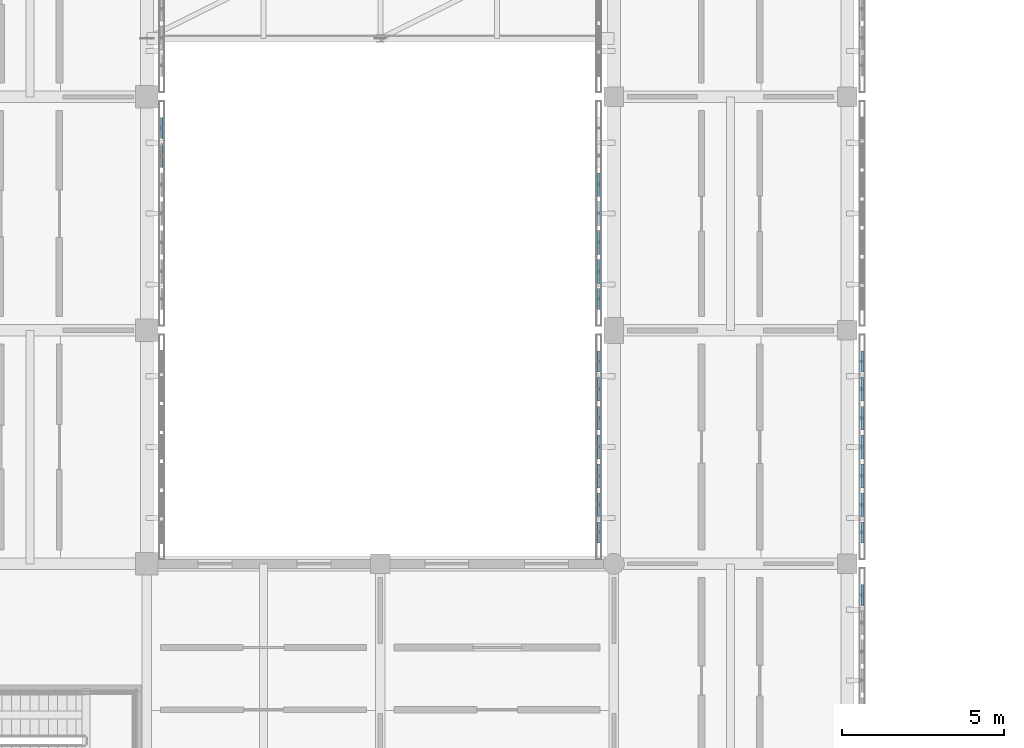
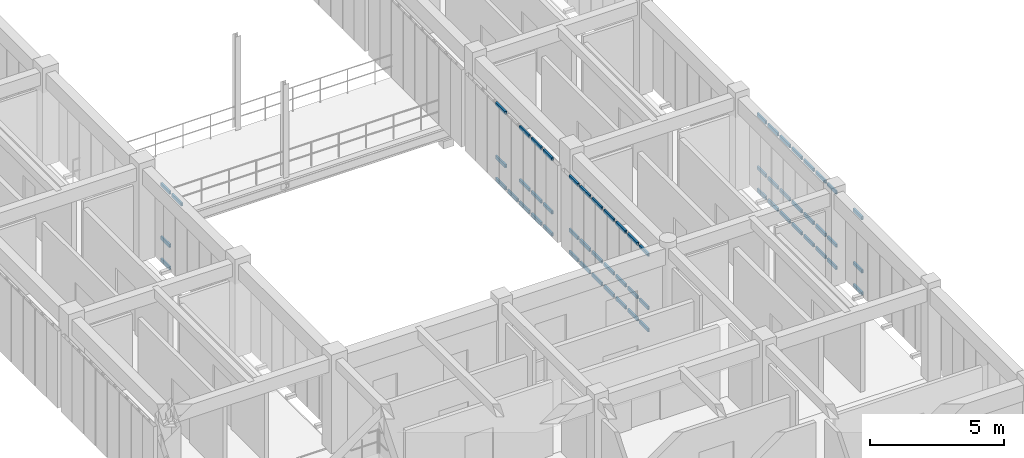
# One storey, part 78 of 171: 62 members, 5 elements without a shape of their own.
"""IFC4 building model written with IfcOpenShell, lengths in metres."""

from ifc_helpers import new_model, si_unit, direction, frame, origin, origin_2d, place, context, subcontext, project, spatial, hollow_rectangle, extrude, material, material_profile, profile_set, type_object, element, aggregate, save


model = new_model("IFC4")

# Units and contexts
model_context = context("Model", 3, precision=1e-05, world=origin(), true_north=direction((0.0, 1.0)))
body_context = subcontext(model_context, "Body", "Model", "MODEL_VIEW")
ifc_project = project(units=[si_unit("LENGTHUNIT", "METRE"), si_unit("AREAUNIT", "SQUARE_METRE"), si_unit("VOLUMEUNIT", "CUBIC_METRE"), si_unit("PLANEANGLEUNIT", "RADIAN"), si_unit("MASSUNIT", "GRAM", prefix="KILO")], contexts=[model_context])

# Site, building, storey
site_placement = place(None, origin())
site = spatial("IfcSite", under=ifc_project, at=site_placement, CompositionType="ELEMENT")
building_placement = place(site_placement, origin())
building = spatial("IfcBuilding", under=site, at=building_placement, Name="Aldebral Square Health Centre", CompositionType="ELEMENT")
storey_placement = place(building_placement, frame((0.0, 0.0, 4.5)))
storey = spatial("IfcBuildingStorey", under=building, at=storey_placement, Name="L01", CompositionType="ELEMENT", Elevation=4.5)

# Curtain wall, members
ifc_material_1 = material(Name="Aluminium and low-E solar glass", Category="aluminium")
curtain_wall_type = type_object("IfcCurtainWallType", Name="CW-FIN-SYS", PredefinedType="USERDEFINED", material=ifc_material_1)
curtain_wall_1_placement = place(storey_placement, origin())
curtain_wall_1 = element("IfcCurtainWall", 1, at=curtain_wall_1_placement, inside=storey, type_object=curtain_wall_type, Name="L01 V4 finned curtain wall L01-V4-00-10-E", ObjectType="SOLAR_CURTAIN_WALL", PredefinedType="USERDEFINED")
ifc_material_2 = material(Name="Anodised aluminium transom", Category="aluminium")
ifc_material_profile = material_profile(ifc_material_2, hollow_rectangle(XDim=0.074951171875, YDim=0.14990234375, WallThickness=0.00390625, at=origin_2d()), Name="CWT 75x150x4")
ifc_profile_set = profile_set([ifc_material_profile], Name="Anodised aluminium transom")
member_type = type_object("IfcMemberType", Name="CWT-STD", PredefinedType="USERDEFINED", material=ifc_profile_set)
member_1_placement = place(storey_placement, frame((7.659912109375, 77.01708984375, 3.482421875), z_axis=(0.0, 1.0, 0.0), x_axis=(-1.0, 0.0, 0.0)))
member_1 = element("IfcMember", 2, at=member_1_placement, type_object=member_type, Name="CW1 transom 6.3", ObjectType="TRANSOM", PredefinedType="USERDEFINED", context=body_context, shape_type="SweptSolid", body=[
    extrude(hollow_rectangle(XDim=0.074951171875, YDim=0.14990234375, WallThickness=0.00390625, at=origin_2d()), origin(), (0.0, 0.0, 1.0), 0.7314453125),
])
member_2_placement = place(storey_placement, frame((7.659912109375, 77.90869140625, 0.03759765625), z_axis=(0.0, 1.0, 0.0), x_axis=(-1.0, 0.0, 0.0)))
member_2 = element("IfcMember", 3, at=member_2_placement, type_object=member_type, Name="CW1 transom 7.1", ObjectType="TRANSOM", PredefinedType="USERDEFINED", context=body_context, shape_type="SweptSolid", body=[
    extrude(hollow_rectangle(XDim=0.074951171875, YDim=0.14990234375, WallThickness=0.00390625, at=origin_2d()), origin(), (0.0, 0.0, 1.0), 0.6513671875),
])
member_3_placement = place(storey_placement, frame((7.659912109375, 77.90869140625, 1.050048828125), z_axis=(0.0, 1.0, 0.0), x_axis=(-1.0, 0.0, 0.0)))
member_3 = element("IfcMember", 4, at=member_3_placement, type_object=member_type, Name="CW1 transom 7.2", ObjectType="TRANSOM", PredefinedType="USERDEFINED", context=body_context, shape_type="SweptSolid", body=[
    extrude(hollow_rectangle(XDim=0.074951171875, YDim=0.14990234375, WallThickness=0.00390625, at=origin_2d()), origin(), (0.0, 0.0, 1.0), 0.6513671875),
])
member_4_placement = place(storey_placement, frame((7.659912109375, 77.90869140625, 3.482421875), z_axis=(0.0, 1.0, 0.0), x_axis=(-1.0, 0.0, 0.0)))
member_4 = element("IfcMember", 5, at=member_4_placement, type_object=member_type, Name="CW1 transom 7.3", ObjectType="TRANSOM", PredefinedType="USERDEFINED", context=body_context, shape_type="SweptSolid", body=[
    extrude(hollow_rectangle(XDim=0.074951171875, YDim=0.14990234375, WallThickness=0.00390625, at=origin_2d()), origin(), (0.0, 0.0, 1.0), 0.6513671875),
])
aggregate(curtain_wall_1, [member_1, member_2, member_3, member_4])

curtain_wall_2_placement = place(storey_placement, origin())
curtain_wall_2 = element("IfcCurtainWall", 6, at=curtain_wall_2_placement, inside=storey, type_object=curtain_wall_type, Name="L01 V4 finned curtain wall L01-V4-03-08-E", ObjectType="SOLAR_CURTAIN_WALL", PredefinedType="USERDEFINED")
member_5_placement = place(storey_placement, frame((29.260009765625, 63.508544921875, 0.03759765625), z_axis=(0.0, 1.0, 0.0), x_axis=(-1.0, 0.0, 0.0)))
member_5 = element("IfcMember", 7, at=member_5_placement, type_object=member_type, Name="CW1 transom 7.1", ObjectType="TRANSOM", PredefinedType="USERDEFINED", context=body_context, shape_type="SweptSolid", body=[
    extrude(hollow_rectangle(XDim=0.074951171875, YDim=0.14990234375, WallThickness=0.00390625, at=origin_2d()), origin(), (0.0, 0.0, 1.0), 0.6513671875),
])
member_6_placement = place(storey_placement, frame((29.260009765625, 63.508544921875, 1.050048828125), z_axis=(0.0, 1.0, 0.0), x_axis=(-1.0, 0.0, 0.0)))
member_6 = element("IfcMember", 8, at=member_6_placement, type_object=member_type, Name="CW1 transom 7.2", ObjectType="TRANSOM", PredefinedType="USERDEFINED", context=body_context, shape_type="SweptSolid", body=[
    extrude(hollow_rectangle(XDim=0.074951171875, YDim=0.14990234375, WallThickness=0.00390625, at=origin_2d()), origin(), (0.0, 0.0, 1.0), 0.6513671875),
])
member_7_placement = place(storey_placement, frame((29.260009765625, 63.508544921875, 3.482421875), z_axis=(0.0, 1.0, 0.0), x_axis=(-1.0, 0.0, 0.0)))
member_7 = element("IfcMember", 9, at=member_7_placement, type_object=member_type, Name="CW1 transom 7.3", ObjectType="TRANSOM", PredefinedType="USERDEFINED", context=body_context, shape_type="SweptSolid", body=[
    extrude(hollow_rectangle(XDim=0.074951171875, YDim=0.14990234375, WallThickness=0.00390625, at=origin_2d()), origin(), (0.0, 0.0, 1.0), 0.6513671875),
])
aggregate(curtain_wall_2, [member_5, member_6, member_7])

curtain_wall_3_placement = place(storey_placement, origin())
curtain_wall_3 = element("IfcCurtainWall", 10, at=curtain_wall_3_placement, inside=storey, type_object=curtain_wall_type, Name="L01 V4 finned curtain wall L01-V4-03-09-W", ObjectType="SOLAR_CURTAIN_WALL", PredefinedType="USERDEFINED")
member_8_placement = place(storey_placement, frame((21.139892578125, 71.360107421875, 0.03759765625), z_axis=(0.0, -1.0, 0.0), x_axis=(1.0, 0.0, 0.0)))
member_8 = element("IfcMember", 11, at=member_8_placement, type_object=member_type, Name="CW1 transom 1.1", ObjectType="TRANSOM", PredefinedType="USERDEFINED", context=body_context, shape_type="SweptSolid", body=[
    extrude(hollow_rectangle(XDim=0.074951171875, YDim=0.14990234375, WallThickness=0.00390625, at=origin_2d()), origin(), (0.0, 0.0, 1.0), 0.651611328125),
])
member_9_placement = place(storey_placement, frame((21.139892578125, 71.360107421875, 1.050048828125), z_axis=(0.0, -1.0, 0.0), x_axis=(1.0, 0.0, 0.0)))
member_9 = element("IfcMember", 12, at=member_9_placement, type_object=member_type, Name="CW1 transom 1.2", ObjectType="TRANSOM", PredefinedType="USERDEFINED", context=body_context, shape_type="SweptSolid", body=[
    extrude(hollow_rectangle(XDim=0.074951171875, YDim=0.14990234375, WallThickness=0.00390625, at=origin_2d()), origin(), (0.0, 0.0, 1.0), 0.651611328125),
])
member_10_placement = place(storey_placement, frame((21.139892578125, 71.360107421875, 3.482421875), z_axis=(0.0, -1.0, 0.0), x_axis=(1.0, 0.0, 0.0)))
member_10 = element("IfcMember", 13, at=member_10_placement, type_object=member_type, Name="CW1 transom 1.3", ObjectType="TRANSOM", PredefinedType="USERDEFINED", context=body_context, shape_type="SweptSolid", body=[
    extrude(hollow_rectangle(XDim=0.074951171875, YDim=0.14990234375, WallThickness=0.00390625, at=origin_2d()), origin(), (0.0, 0.0, 1.0), 0.651611328125),
])
member_11_placement = place(storey_placement, frame((21.139892578125, 70.548583984375, 0.03759765625), z_axis=(0.0, -1.0, 0.0), x_axis=(1.0, 0.0, 0.0)))
member_11 = element("IfcMember", 14, at=member_11_placement, type_object=member_type, Name="CW1 transom 2.1", ObjectType="TRANSOM", PredefinedType="USERDEFINED", context=body_context, shape_type="SweptSolid", body=[
    extrude(hollow_rectangle(XDim=0.074951171875, YDim=0.14990234375, WallThickness=0.00390625, at=origin_2d()), origin(), (0.0, 0.0, 1.0), 0.7314453125),
])
member_12_placement = place(storey_placement, frame((21.139892578125, 70.548583984375, 1.050048828125), z_axis=(0.0, -1.0, 0.0), x_axis=(1.0, 0.0, 0.0)))
member_12 = element("IfcMember", 15, at=member_12_placement, type_object=member_type, Name="CW1 transom 2.2", ObjectType="TRANSOM", PredefinedType="USERDEFINED", context=body_context, shape_type="SweptSolid", body=[
    extrude(hollow_rectangle(XDim=0.074951171875, YDim=0.14990234375, WallThickness=0.00390625, at=origin_2d()), origin(), (0.0, 0.0, 1.0), 0.7314453125),
])
member_13_placement = place(storey_placement, frame((21.139892578125, 70.548583984375, 3.482421875), z_axis=(0.0, -1.0, 0.0), x_axis=(1.0, 0.0, 0.0)))
member_13 = element("IfcMember", 16, at=member_13_placement, type_object=member_type, Name="CW1 transom 2.3", ObjectType="TRANSOM", PredefinedType="USERDEFINED", context=body_context, shape_type="SweptSolid", body=[
    extrude(hollow_rectangle(XDim=0.074951171875, YDim=0.14990234375, WallThickness=0.00390625, at=origin_2d()), origin(), (0.0, 0.0, 1.0), 0.7314453125),
])
member_14_placement = place(storey_placement, frame((21.139892578125, 69.6572265625, 0.03759765625), z_axis=(0.0, -1.0, 0.0), x_axis=(1.0, 0.0, 0.0)))
member_14 = element("IfcMember", 17, at=member_14_placement, type_object=member_type, Name="CW1 transom 3.1", ObjectType="TRANSOM", PredefinedType="USERDEFINED", context=body_context, shape_type="SweptSolid", body=[
    extrude(hollow_rectangle(XDim=0.074951171875, YDim=0.14990234375, WallThickness=0.00390625, at=origin_2d()), origin(), (0.0, 0.0, 1.0), 0.7314453125),
])
member_15_placement = place(storey_placement, frame((21.139892578125, 69.6572265625, 1.050048828125), z_axis=(0.0, -1.0, 0.0), x_axis=(1.0, 0.0, 0.0)))
member_15 = element("IfcMember", 18, at=member_15_placement, type_object=member_type, Name="CW1 transom 3.2", ObjectType="TRANSOM", PredefinedType="USERDEFINED", context=body_context, shape_type="SweptSolid", body=[
    extrude(hollow_rectangle(XDim=0.074951171875, YDim=0.14990234375, WallThickness=0.00390625, at=origin_2d()), origin(), (0.0, 0.0, 1.0), 0.7314453125),
])
member_16_placement = place(storey_placement, frame((21.139892578125, 69.6572265625, 3.482421875), z_axis=(0.0, -1.0, 0.0), x_axis=(1.0, 0.0, 0.0)))
member_16 = element("IfcMember", 19, at=member_16_placement, type_object=member_type, Name="CW1 transom 3.3", ObjectType="TRANSOM", PredefinedType="USERDEFINED", context=body_context, shape_type="SweptSolid", body=[
    extrude(hollow_rectangle(XDim=0.074951171875, YDim=0.14990234375, WallThickness=0.00390625, at=origin_2d()), origin(), (0.0, 0.0, 1.0), 0.7314453125),
])
member_17_placement = place(storey_placement, frame((21.139892578125, 68.765625, 0.03759765625), z_axis=(0.0, -1.0, 0.0), x_axis=(1.0, 0.0, 0.0)))
member_17 = element("IfcMember", 20, at=member_17_placement, type_object=member_type, Name="CW1 transom 4.1", ObjectType="TRANSOM", PredefinedType="USERDEFINED", context=body_context, shape_type="SweptSolid", body=[
    extrude(hollow_rectangle(XDim=0.074951171875, YDim=0.14990234375, WallThickness=0.00390625, at=origin_2d()), origin(), (0.0, 0.0, 1.0), 0.7314453125),
])
member_18_placement = place(storey_placement, frame((21.139892578125, 68.765625, 1.050048828125), z_axis=(0.0, -1.0, 0.0), x_axis=(1.0, 0.0, 0.0)))
member_18 = element("IfcMember", 21, at=member_18_placement, type_object=member_type, Name="CW1 transom 4.2", ObjectType="TRANSOM", PredefinedType="USERDEFINED", context=body_context, shape_type="SweptSolid", body=[
    extrude(hollow_rectangle(XDim=0.074951171875, YDim=0.14990234375, WallThickness=0.00390625, at=origin_2d()), origin(), (0.0, 0.0, 1.0), 0.7314453125),
])
member_19_placement = place(storey_placement, frame((21.139892578125, 68.765625, 3.482421875), z_axis=(0.0, -1.0, 0.0), x_axis=(1.0, 0.0, 0.0)))
member_19 = element("IfcMember", 22, at=member_19_placement, type_object=member_type, Name="CW1 transom 4.3", ObjectType="TRANSOM", PredefinedType="USERDEFINED", context=body_context, shape_type="SweptSolid", body=[
    extrude(hollow_rectangle(XDim=0.074951171875, YDim=0.14990234375, WallThickness=0.00390625, at=origin_2d()), origin(), (0.0, 0.0, 1.0), 0.7314453125),
])
member_20_placement = place(storey_placement, frame((21.139892578125, 67.874267578125, 0.03759765625), z_axis=(0.0, -1.0, 0.0), x_axis=(1.0, 0.0, 0.0)))
member_20 = element("IfcMember", 23, at=member_20_placement, type_object=member_type, Name="CW1 transom 5.1", ObjectType="TRANSOM", PredefinedType="USERDEFINED", context=body_context, shape_type="SweptSolid", body=[
    extrude(hollow_rectangle(XDim=0.074951171875, YDim=0.14990234375, WallThickness=0.00390625, at=origin_2d()), origin(), (0.0, 0.0, 1.0), 0.7314453125),
])
member_21_placement = place(storey_placement, frame((21.139892578125, 67.874267578125, 1.050048828125), z_axis=(0.0, -1.0, 0.0), x_axis=(1.0, 0.0, 0.0)))
member_21 = element("IfcMember", 24, at=member_21_placement, type_object=member_type, Name="CW1 transom 5.2", ObjectType="TRANSOM", PredefinedType="USERDEFINED", context=body_context, shape_type="SweptSolid", body=[
    extrude(hollow_rectangle(XDim=0.074951171875, YDim=0.14990234375, WallThickness=0.00390625, at=origin_2d()), origin(), (0.0, 0.0, 1.0), 0.7314453125),
])
member_22_placement = place(storey_placement, frame((21.139892578125, 67.874267578125, 3.482421875), z_axis=(0.0, -1.0, 0.0), x_axis=(1.0, 0.0, 0.0)))
member_22 = element("IfcMember", 25, at=member_22_placement, type_object=member_type, Name="CW1 transom 5.3", ObjectType="TRANSOM", PredefinedType="USERDEFINED", context=body_context, shape_type="SweptSolid", body=[
    extrude(hollow_rectangle(XDim=0.074951171875, YDim=0.14990234375, WallThickness=0.00390625, at=origin_2d()), origin(), (0.0, 0.0, 1.0), 0.7314453125),
])
member_23_placement = place(storey_placement, frame((21.139892578125, 66.98291015625, 0.03759765625), z_axis=(0.0, -1.0, 0.0), x_axis=(1.0, 0.0, 0.0)))
member_23 = element("IfcMember", 26, at=member_23_placement, type_object=member_type, Name="CW1 transom 6.1", ObjectType="TRANSOM", PredefinedType="USERDEFINED", context=body_context, shape_type="SweptSolid", body=[
    extrude(hollow_rectangle(XDim=0.074951171875, YDim=0.14990234375, WallThickness=0.00390625, at=origin_2d()), origin(), (0.0, 0.0, 1.0), 0.7314453125),
])
member_24_placement = place(storey_placement, frame((21.139892578125, 66.98291015625, 1.050048828125), z_axis=(0.0, -1.0, 0.0), x_axis=(1.0, 0.0, 0.0)))
member_24 = element("IfcMember", 27, at=member_24_placement, type_object=member_type, Name="CW1 transom 6.2", ObjectType="TRANSOM", PredefinedType="USERDEFINED", context=body_context, shape_type="SweptSolid", body=[
    extrude(hollow_rectangle(XDim=0.074951171875, YDim=0.14990234375, WallThickness=0.00390625, at=origin_2d()), origin(), (0.0, 0.0, 1.0), 0.7314453125),
])
member_25_placement = place(storey_placement, frame((21.139892578125, 66.98291015625, 3.482421875), z_axis=(0.0, -1.0, 0.0), x_axis=(1.0, 0.0, 0.0)))
member_25 = element("IfcMember", 28, at=member_25_placement, type_object=member_type, Name="CW1 transom 6.3", ObjectType="TRANSOM", PredefinedType="USERDEFINED", context=body_context, shape_type="SweptSolid", body=[
    extrude(hollow_rectangle(XDim=0.074951171875, YDim=0.14990234375, WallThickness=0.00390625, at=origin_2d()), origin(), (0.0, 0.0, 1.0), 0.7314453125),
])
member_26_placement = place(storey_placement, frame((21.139892578125, 66.09130859375, 0.03759765625), z_axis=(0.0, -1.0, 0.0), x_axis=(1.0, 0.0, 0.0)))
member_26 = element("IfcMember", 29, at=member_26_placement, type_object=member_type, Name="CW1 transom 7.1", ObjectType="TRANSOM", PredefinedType="USERDEFINED", context=body_context, shape_type="SweptSolid", body=[
    extrude(hollow_rectangle(XDim=0.074951171875, YDim=0.14990234375, WallThickness=0.00390625, at=origin_2d()), origin(), (0.0, 0.0, 1.0), 0.6513671875),
])
member_27_placement = place(storey_placement, frame((21.139892578125, 66.09130859375, 1.050048828125), z_axis=(0.0, -1.0, 0.0), x_axis=(1.0, 0.0, 0.0)))
member_27 = element("IfcMember", 30, at=member_27_placement, type_object=member_type, Name="CW1 transom 7.2", ObjectType="TRANSOM", PredefinedType="USERDEFINED", context=body_context, shape_type="SweptSolid", body=[
    extrude(hollow_rectangle(XDim=0.074951171875, YDim=0.14990234375, WallThickness=0.00390625, at=origin_2d()), origin(), (0.0, 0.0, 1.0), 0.6513671875),
])
member_28_placement = place(storey_placement, frame((21.139892578125, 66.09130859375, 3.482421875), z_axis=(0.0, -1.0, 0.0), x_axis=(1.0, 0.0, 0.0)))
member_28 = element("IfcMember", 31, at=member_28_placement, type_object=member_type, Name="CW1 transom 7.3", ObjectType="TRANSOM", PredefinedType="USERDEFINED", context=body_context, shape_type="SweptSolid", body=[
    extrude(hollow_rectangle(XDim=0.074951171875, YDim=0.14990234375, WallThickness=0.00390625, at=origin_2d()), origin(), (0.0, 0.0, 1.0), 0.6513671875),
])
aggregate(curtain_wall_3, [member_8, member_9, member_10, member_11, member_12, member_13, member_14, member_15, member_16, member_17, member_18, member_19, member_20, member_21, member_22, member_23, member_24, member_25, member_26, member_27, member_28])

curtain_wall_4_placement = place(storey_placement, origin())
curtain_wall_4 = element("IfcCurtainWall", 32, at=curtain_wall_4_placement, inside=storey, type_object=curtain_wall_type, Name="L01 V4 finned curtain wall L01-V4-03-09-E", ObjectType="SOLAR_CURTAIN_WALL", PredefinedType="USERDEFINED")
member_29_placement = place(storey_placement, frame((29.260009765625, 65.43994140625, 0.03759765625), z_axis=(0.0, 1.0, 0.0), x_axis=(-1.0, 0.0, 0.0)))
member_29 = element("IfcMember", 33, at=member_29_placement, type_object=member_type, Name="CW1 transom 1.1", ObjectType="TRANSOM", PredefinedType="USERDEFINED", context=body_context, shape_type="SweptSolid", body=[
    extrude(hollow_rectangle(XDim=0.074951171875, YDim=0.14990234375, WallThickness=0.00390625, at=origin_2d()), origin(), (0.0, 0.0, 1.0), 0.6513671875),
])
member_30_placement = place(storey_placement, frame((29.260009765625, 65.43994140625, 1.050048828125), z_axis=(0.0, 1.0, 0.0), x_axis=(-1.0, 0.0, 0.0)))
member_30 = element("IfcMember", 34, at=member_30_placement, type_object=member_type, Name="CW1 transom 1.2", ObjectType="TRANSOM", PredefinedType="USERDEFINED", context=body_context, shape_type="SweptSolid", body=[
    extrude(hollow_rectangle(XDim=0.074951171875, YDim=0.14990234375, WallThickness=0.00390625, at=origin_2d()), origin(), (0.0, 0.0, 1.0), 0.6513671875),
])
member_31_placement = place(storey_placement, frame((29.260009765625, 65.43994140625, 3.482421875), z_axis=(0.0, 1.0, 0.0), x_axis=(-1.0, 0.0, 0.0)))
member_31 = element("IfcMember", 35, at=member_31_placement, type_object=member_type, Name="CW1 transom 1.3", ObjectType="TRANSOM", PredefinedType="USERDEFINED", context=body_context, shape_type="SweptSolid", body=[
    extrude(hollow_rectangle(XDim=0.074951171875, YDim=0.14990234375, WallThickness=0.00390625, at=origin_2d()), origin(), (0.0, 0.0, 1.0), 0.6513671875),
])
member_32_placement = place(storey_placement, frame((29.260009765625, 66.25146484375, 0.03759765625), z_axis=(0.0, 1.0, 0.0), x_axis=(-1.0, 0.0, 0.0)))
member_32 = element("IfcMember", 36, at=member_32_placement, type_object=member_type, Name="CW1 transom 2.1", ObjectType="TRANSOM", PredefinedType="USERDEFINED", context=body_context, shape_type="SweptSolid", body=[
    extrude(hollow_rectangle(XDim=0.074951171875, YDim=0.14990234375, WallThickness=0.00390625, at=origin_2d()), origin(), (0.0, 0.0, 1.0), 0.7314453125),
])
member_33_placement = place(storey_placement, frame((29.260009765625, 66.25146484375, 1.050048828125), z_axis=(0.0, 1.0, 0.0), x_axis=(-1.0, 0.0, 0.0)))
member_33 = element("IfcMember", 37, at=member_33_placement, type_object=member_type, Name="CW1 transom 2.2", ObjectType="TRANSOM", PredefinedType="USERDEFINED", context=body_context, shape_type="SweptSolid", body=[
    extrude(hollow_rectangle(XDim=0.074951171875, YDim=0.14990234375, WallThickness=0.00390625, at=origin_2d()), origin(), (0.0, 0.0, 1.0), 0.7314453125),
])
member_34_placement = place(storey_placement, frame((29.260009765625, 66.25146484375, 3.482421875), z_axis=(0.0, 1.0, 0.0), x_axis=(-1.0, 0.0, 0.0)))
member_34 = element("IfcMember", 38, at=member_34_placement, type_object=member_type, Name="CW1 transom 2.3", ObjectType="TRANSOM", PredefinedType="USERDEFINED", context=body_context, shape_type="SweptSolid", body=[
    extrude(hollow_rectangle(XDim=0.074951171875, YDim=0.14990234375, WallThickness=0.00390625, at=origin_2d()), origin(), (0.0, 0.0, 1.0), 0.7314453125),
])
member_35_placement = place(storey_placement, frame((29.260009765625, 67.142822265625, 0.03759765625), z_axis=(0.0, 1.0, 0.0), x_axis=(-1.0, 0.0, 0.0)))
member_35 = element("IfcMember", 39, at=member_35_placement, type_object=member_type, Name="CW1 transom 3.1", ObjectType="TRANSOM", PredefinedType="USERDEFINED", context=body_context, shape_type="SweptSolid", body=[
    extrude(hollow_rectangle(XDim=0.074951171875, YDim=0.14990234375, WallThickness=0.00390625, at=origin_2d()), origin(), (0.0, 0.0, 1.0), 0.7314453125),
])
member_36_placement = place(storey_placement, frame((29.260009765625, 67.142822265625, 1.050048828125), z_axis=(0.0, 1.0, 0.0), x_axis=(-1.0, 0.0, 0.0)))
member_36 = element("IfcMember", 40, at=member_36_placement, type_object=member_type, Name="CW1 transom 3.2", ObjectType="TRANSOM", PredefinedType="USERDEFINED", context=body_context, shape_type="SweptSolid", body=[
    extrude(hollow_rectangle(XDim=0.074951171875, YDim=0.14990234375, WallThickness=0.00390625, at=origin_2d()), origin(), (0.0, 0.0, 1.0), 0.7314453125),
])
member_37_placement = place(storey_placement, frame((29.260009765625, 67.142822265625, 3.482421875), z_axis=(0.0, 1.0, 0.0), x_axis=(-1.0, 0.0, 0.0)))
member_37 = element("IfcMember", 41, at=member_37_placement, type_object=member_type, Name="CW1 transom 3.3", ObjectType="TRANSOM", PredefinedType="USERDEFINED", context=body_context, shape_type="SweptSolid", body=[
    extrude(hollow_rectangle(XDim=0.074951171875, YDim=0.14990234375, WallThickness=0.00390625, at=origin_2d()), origin(), (0.0, 0.0, 1.0), 0.7314453125),
])
member_38_placement = place(storey_placement, frame((29.260009765625, 68.0341796875, 0.03759765625), z_axis=(0.0, 1.0, 0.0), x_axis=(-1.0, 0.0, 0.0)))
member_38 = element("IfcMember", 42, at=member_38_placement, type_object=member_type, Name="CW1 transom 4.1", ObjectType="TRANSOM", PredefinedType="USERDEFINED", context=body_context, shape_type="SweptSolid", body=[
    extrude(hollow_rectangle(XDim=0.074951171875, YDim=0.14990234375, WallThickness=0.00390625, at=origin_2d()), origin(), (0.0, 0.0, 1.0), 0.7314453125),
])
member_39_placement = place(storey_placement, frame((29.260009765625, 68.0341796875, 1.050048828125), z_axis=(0.0, 1.0, 0.0), x_axis=(-1.0, 0.0, 0.0)))
member_39 = element("IfcMember", 43, at=member_39_placement, type_object=member_type, Name="CW1 transom 4.2", ObjectType="TRANSOM", PredefinedType="USERDEFINED", context=body_context, shape_type="SweptSolid", body=[
    extrude(hollow_rectangle(XDim=0.074951171875, YDim=0.14990234375, WallThickness=0.00390625, at=origin_2d()), origin(), (0.0, 0.0, 1.0), 0.7314453125),
])
member_40_placement = place(storey_placement, frame((29.260009765625, 68.0341796875, 3.482421875), z_axis=(0.0, 1.0, 0.0), x_axis=(-1.0, 0.0, 0.0)))
member_40 = element("IfcMember", 44, at=member_40_placement, type_object=member_type, Name="CW1 transom 4.3", ObjectType="TRANSOM", PredefinedType="USERDEFINED", context=body_context, shape_type="SweptSolid", body=[
    extrude(hollow_rectangle(XDim=0.074951171875, YDim=0.14990234375, WallThickness=0.00390625, at=origin_2d()), origin(), (0.0, 0.0, 1.0), 0.7314453125),
])
member_41_placement = place(storey_placement, frame((29.260009765625, 68.92578125, 0.03759765625), z_axis=(0.0, 1.0, 0.0), x_axis=(-1.0, 0.0, 0.0)))
member_41 = element("IfcMember", 45, at=member_41_placement, type_object=member_type, Name="CW1 transom 5.1", ObjectType="TRANSOM", PredefinedType="USERDEFINED", context=body_context, shape_type="SweptSolid", body=[
    extrude(hollow_rectangle(XDim=0.074951171875, YDim=0.14990234375, WallThickness=0.00390625, at=origin_2d()), origin(), (0.0, 0.0, 1.0), 0.7314453125),
])
member_42_placement = place(storey_placement, frame((29.260009765625, 68.92578125, 1.050048828125), z_axis=(0.0, 1.0, 0.0), x_axis=(-1.0, 0.0, 0.0)))
member_42 = element("IfcMember", 46, at=member_42_placement, type_object=member_type, Name="CW1 transom 5.2", ObjectType="TRANSOM", PredefinedType="USERDEFINED", context=body_context, shape_type="SweptSolid", body=[
    extrude(hollow_rectangle(XDim=0.074951171875, YDim=0.14990234375, WallThickness=0.00390625, at=origin_2d()), origin(), (0.0, 0.0, 1.0), 0.7314453125),
])
member_43_placement = place(storey_placement, frame((29.260009765625, 68.92578125, 3.482421875), z_axis=(0.0, 1.0, 0.0), x_axis=(-1.0, 0.0, 0.0)))
member_43 = element("IfcMember", 47, at=member_43_placement, type_object=member_type, Name="CW1 transom 5.3", ObjectType="TRANSOM", PredefinedType="USERDEFINED", context=body_context, shape_type="SweptSolid", body=[
    extrude(hollow_rectangle(XDim=0.074951171875, YDim=0.14990234375, WallThickness=0.00390625, at=origin_2d()), origin(), (0.0, 0.0, 1.0), 0.7314453125),
])
member_44_placement = place(storey_placement, frame((29.260009765625, 69.817138671875, 0.03759765625), z_axis=(0.0, 1.0, 0.0), x_axis=(-1.0, 0.0, 0.0)))
member_44 = element("IfcMember", 48, at=member_44_placement, type_object=member_type, Name="CW1 transom 6.1", ObjectType="TRANSOM", PredefinedType="USERDEFINED", context=body_context, shape_type="SweptSolid", body=[
    extrude(hollow_rectangle(XDim=0.074951171875, YDim=0.14990234375, WallThickness=0.00390625, at=origin_2d()), origin(), (0.0, 0.0, 1.0), 0.7314453125),
])
member_45_placement = place(storey_placement, frame((29.260009765625, 69.817138671875, 1.050048828125), z_axis=(0.0, 1.0, 0.0), x_axis=(-1.0, 0.0, 0.0)))
member_45 = element("IfcMember", 49, at=member_45_placement, type_object=member_type, Name="CW1 transom 6.2", ObjectType="TRANSOM", PredefinedType="USERDEFINED", context=body_context, shape_type="SweptSolid", body=[
    extrude(hollow_rectangle(XDim=0.074951171875, YDim=0.14990234375, WallThickness=0.00390625, at=origin_2d()), origin(), (0.0, 0.0, 1.0), 0.7314453125),
])
member_46_placement = place(storey_placement, frame((29.260009765625, 69.817138671875, 3.482421875), z_axis=(0.0, 1.0, 0.0), x_axis=(-1.0, 0.0, 0.0)))
member_46 = element("IfcMember", 50, at=member_46_placement, type_object=member_type, Name="CW1 transom 6.3", ObjectType="TRANSOM", PredefinedType="USERDEFINED", context=body_context, shape_type="SweptSolid", body=[
    extrude(hollow_rectangle(XDim=0.074951171875, YDim=0.14990234375, WallThickness=0.00390625, at=origin_2d()), origin(), (0.0, 0.0, 1.0), 0.7314453125),
])
member_47_placement = place(storey_placement, frame((29.260009765625, 70.70849609375, 0.03759765625), z_axis=(0.0, 1.0, 0.0), x_axis=(-1.0, 0.0, 0.0)))
member_47 = element("IfcMember", 51, at=member_47_placement, type_object=member_type, Name="CW1 transom 7.1", ObjectType="TRANSOM", PredefinedType="USERDEFINED", context=body_context, shape_type="SweptSolid", body=[
    extrude(hollow_rectangle(XDim=0.074951171875, YDim=0.14990234375, WallThickness=0.00390625, at=origin_2d()), origin(), (0.0, 0.0, 1.0), 0.651611328125),
])
member_48_placement = place(storey_placement, frame((29.260009765625, 70.70849609375, 1.050048828125), z_axis=(0.0, 1.0, 0.0), x_axis=(-1.0, 0.0, 0.0)))
member_48 = element("IfcMember", 52, at=member_48_placement, type_object=member_type, Name="CW1 transom 7.2", ObjectType="TRANSOM", PredefinedType="USERDEFINED", context=body_context, shape_type="SweptSolid", body=[
    extrude(hollow_rectangle(XDim=0.074951171875, YDim=0.14990234375, WallThickness=0.00390625, at=origin_2d()), origin(), (0.0, 0.0, 1.0), 0.651611328125),
])
member_49_placement = place(storey_placement, frame((29.260009765625, 70.70849609375, 3.482421875), z_axis=(0.0, 1.0, 0.0), x_axis=(-1.0, 0.0, 0.0)))
member_49 = element("IfcMember", 53, at=member_49_placement, type_object=member_type, Name="CW1 transom 7.3", ObjectType="TRANSOM", PredefinedType="USERDEFINED", context=body_context, shape_type="SweptSolid", body=[
    extrude(hollow_rectangle(XDim=0.074951171875, YDim=0.14990234375, WallThickness=0.00390625, at=origin_2d()), origin(), (0.0, 0.0, 1.0), 0.651611328125),
])
aggregate(curtain_wall_4, [member_29, member_30, member_31, member_32, member_33, member_34, member_35, member_36, member_37, member_38, member_39, member_40, member_41, member_42, member_43, member_44, member_45, member_46, member_47, member_48, member_49])

curtain_wall_5_placement = place(storey_placement, origin())
curtain_wall_5 = element("IfcCurtainWall", 54, at=curtain_wall_5_placement, inside=storey, type_object=curtain_wall_type, Name="L01 V4 finned curtain wall L01-V4-03-10-W", ObjectType="SOLAR_CURTAIN_WALL", PredefinedType="USERDEFINED")
member_50_placement = place(storey_placement, frame((21.139892578125, 76.857177734375, 0.03759765625), z_axis=(0.0, -1.0, 0.0), x_axis=(1.0, 0.0, 0.0)))
member_50 = element("IfcMember", 55, at=member_50_placement, type_object=member_type, Name="CW1 transom 3.1", ObjectType="TRANSOM", PredefinedType="USERDEFINED", context=body_context, shape_type="SweptSolid", body=[
    extrude(hollow_rectangle(XDim=0.074951171875, YDim=0.14990234375, WallThickness=0.00390625, at=origin_2d()), origin(), (0.0, 0.0, 1.0), 0.7314453125),
])
member_51_placement = place(storey_placement, frame((21.139892578125, 76.857177734375, 1.050048828125), z_axis=(0.0, -1.0, 0.0), x_axis=(1.0, 0.0, 0.0)))
member_51 = element("IfcMember", 56, at=member_51_placement, type_object=member_type, Name="CW1 transom 3.2", ObjectType="TRANSOM", PredefinedType="USERDEFINED", context=body_context, shape_type="SweptSolid", body=[
    extrude(hollow_rectangle(XDim=0.074951171875, YDim=0.14990234375, WallThickness=0.00390625, at=origin_2d()), origin(), (0.0, 0.0, 1.0), 0.7314453125),
])
member_52_placement = place(storey_placement, frame((21.139892578125, 76.857177734375, 3.482421875), z_axis=(0.0, -1.0, 0.0), x_axis=(1.0, 0.0, 0.0)))
member_52 = element("IfcMember", 57, at=member_52_placement, type_object=member_type, Name="CW1 transom 3.3", ObjectType="TRANSOM", PredefinedType="USERDEFINED", context=body_context, shape_type="SweptSolid", body=[
    extrude(hollow_rectangle(XDim=0.074951171875, YDim=0.14990234375, WallThickness=0.00390625, at=origin_2d()), origin(), (0.0, 0.0, 1.0), 0.7314453125),
])
member_53_placement = place(storey_placement, frame((21.139892578125, 75.9658203125, 0.03759765625), z_axis=(0.0, -1.0, 0.0), x_axis=(1.0, 0.0, 0.0)))
member_53 = element("IfcMember", 58, at=member_53_placement, type_object=member_type, Name="CW1 transom 4.1", ObjectType="TRANSOM", PredefinedType="USERDEFINED", context=body_context, shape_type="SweptSolid", body=[
    extrude(hollow_rectangle(XDim=0.074951171875, YDim=0.14990234375, WallThickness=0.00390625, at=origin_2d()), origin(), (0.0, 0.0, 1.0), 0.7314453125),
])
member_54_placement = place(storey_placement, frame((21.139892578125, 75.07421875, 0.03759765625), z_axis=(0.0, -1.0, 0.0), x_axis=(1.0, 0.0, 0.0)))
member_54 = element("IfcMember", 59, at=member_54_placement, type_object=member_type, Name="CW1 transom 5.1", ObjectType="TRANSOM", PredefinedType="USERDEFINED", context=body_context, shape_type="SweptSolid", body=[
    extrude(hollow_rectangle(XDim=0.074951171875, YDim=0.14990234375, WallThickness=0.00390625, at=origin_2d()), origin(), (0.0, 0.0, 1.0), 0.7314453125),
])
member_55_placement = place(storey_placement, frame((21.139892578125, 75.07421875, 1.050048828125), z_axis=(0.0, -1.0, 0.0), x_axis=(1.0, 0.0, 0.0)))
member_55 = element("IfcMember", 60, at=member_55_placement, type_object=member_type, Name="CW1 transom 5.2", ObjectType="TRANSOM", PredefinedType="USERDEFINED", context=body_context, shape_type="SweptSolid", body=[
    extrude(hollow_rectangle(XDim=0.074951171875, YDim=0.14990234375, WallThickness=0.00390625, at=origin_2d()), origin(), (0.0, 0.0, 1.0), 0.7314453125),
])
member_56_placement = place(storey_placement, frame((21.139892578125, 75.07421875, 3.482421875), z_axis=(0.0, -1.0, 0.0), x_axis=(1.0, 0.0, 0.0)))
member_56 = element("IfcMember", 61, at=member_56_placement, type_object=member_type, Name="CW1 transom 5.3", ObjectType="TRANSOM", PredefinedType="USERDEFINED", context=body_context, shape_type="SweptSolid", body=[
    extrude(hollow_rectangle(XDim=0.074951171875, YDim=0.14990234375, WallThickness=0.00390625, at=origin_2d()), origin(), (0.0, 0.0, 1.0), 0.7314453125),
])
member_57_placement = place(storey_placement, frame((21.139892578125, 74.182861328125, 0.03759765625), z_axis=(0.0, -1.0, 0.0), x_axis=(1.0, 0.0, 0.0)))
member_57 = element("IfcMember", 62, at=member_57_placement, type_object=member_type, Name="CW1 transom 6.1", ObjectType="TRANSOM", PredefinedType="USERDEFINED", context=body_context, shape_type="SweptSolid", body=[
    extrude(hollow_rectangle(XDim=0.074951171875, YDim=0.14990234375, WallThickness=0.00390625, at=origin_2d()), origin(), (0.0, 0.0, 1.0), 0.7314453125),
])
member_58_placement = place(storey_placement, frame((21.139892578125, 74.182861328125, 1.050048828125), z_axis=(0.0, -1.0, 0.0), x_axis=(1.0, 0.0, 0.0)))
member_58 = element("IfcMember", 63, at=member_58_placement, type_object=member_type, Name="CW1 transom 6.2", ObjectType="TRANSOM", PredefinedType="USERDEFINED", context=body_context, shape_type="SweptSolid", body=[
    extrude(hollow_rectangle(XDim=0.074951171875, YDim=0.14990234375, WallThickness=0.00390625, at=origin_2d()), origin(), (0.0, 0.0, 1.0), 0.7314453125),
])
member_59_placement = place(storey_placement, frame((21.139892578125, 74.182861328125, 3.482421875), z_axis=(0.0, -1.0, 0.0), x_axis=(1.0, 0.0, 0.0)))
member_59 = element("IfcMember", 64, at=member_59_placement, type_object=member_type, Name="CW1 transom 6.3", ObjectType="TRANSOM", PredefinedType="USERDEFINED", context=body_context, shape_type="SweptSolid", body=[
    extrude(hollow_rectangle(XDim=0.074951171875, YDim=0.14990234375, WallThickness=0.00390625, at=origin_2d()), origin(), (0.0, 0.0, 1.0), 0.7314453125),
])
member_60_placement = place(storey_placement, frame((21.139892578125, 73.29150390625, 0.03759765625), z_axis=(0.0, -1.0, 0.0), x_axis=(1.0, 0.0, 0.0)))
member_60 = element("IfcMember", 65, at=member_60_placement, type_object=member_type, Name="CW1 transom 7.1", ObjectType="TRANSOM", PredefinedType="USERDEFINED", context=body_context, shape_type="SweptSolid", body=[
    extrude(hollow_rectangle(XDim=0.074951171875, YDim=0.14990234375, WallThickness=0.00390625, at=origin_2d()), origin(), (0.0, 0.0, 1.0), 0.651611328125),
])
member_61_placement = place(storey_placement, frame((21.139892578125, 73.29150390625, 1.050048828125), z_axis=(0.0, -1.0, 0.0), x_axis=(1.0, 0.0, 0.0)))
member_61 = element("IfcMember", 66, at=member_61_placement, type_object=member_type, Name="CW1 transom 7.2", ObjectType="TRANSOM", PredefinedType="USERDEFINED", context=body_context, shape_type="SweptSolid", body=[
    extrude(hollow_rectangle(XDim=0.074951171875, YDim=0.14990234375, WallThickness=0.00390625, at=origin_2d()), origin(), (0.0, 0.0, 1.0), 0.651611328125),
])
member_62_placement = place(storey_placement, frame((21.139892578125, 73.29150390625, 3.482421875), z_axis=(0.0, -1.0, 0.0), x_axis=(1.0, 0.0, 0.0)))
member_62 = element("IfcMember", 67, at=member_62_placement, type_object=member_type, Name="CW1 transom 7.3", ObjectType="TRANSOM", PredefinedType="USERDEFINED", context=body_context, shape_type="SweptSolid", body=[
    extrude(hollow_rectangle(XDim=0.074951171875, YDim=0.14990234375, WallThickness=0.00390625, at=origin_2d()), origin(), (0.0, 0.0, 1.0), 0.651611328125),
])
aggregate(curtain_wall_5, [member_50, member_51, member_52, member_53, member_54, member_55, member_56, member_57, member_58, member_59, member_60, member_61, member_62])

save(model, "model.ifc")
